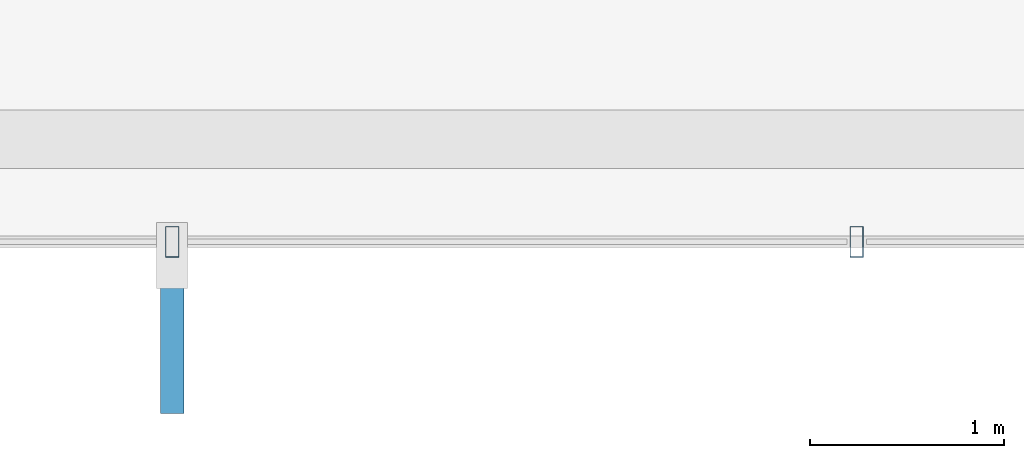
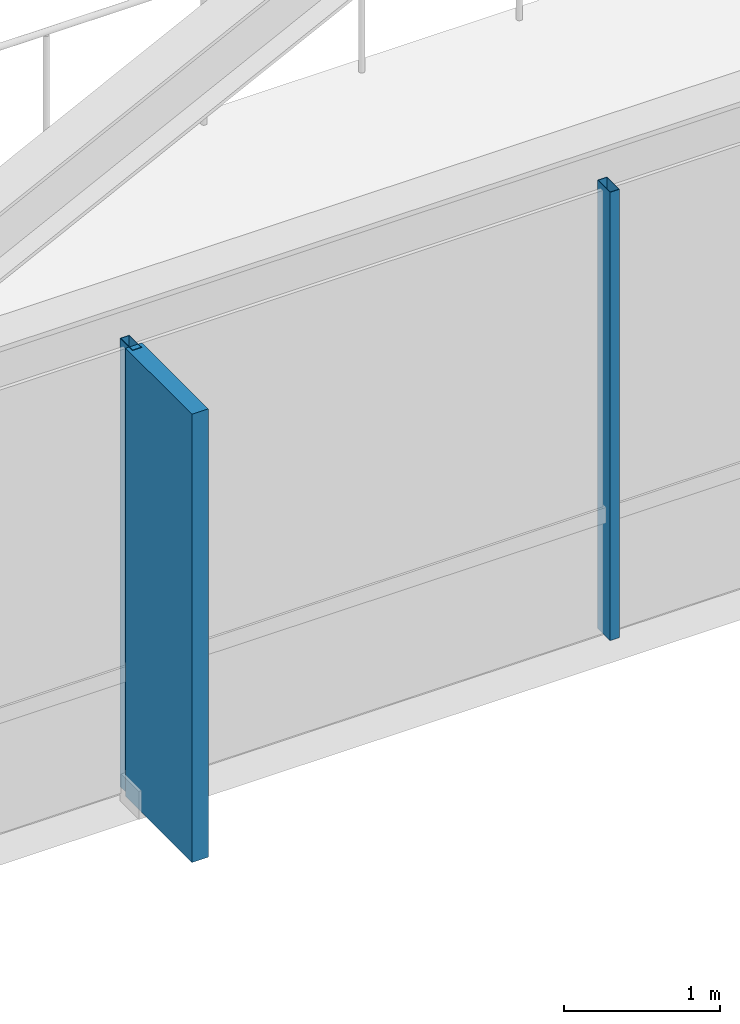
# One storey, part 6 of 30: 3 members, 1 element without a shape of its own.
"""IFC4 building model written with IfcOpenShell, lengths in metres."""

from ifc_helpers import new_model, si_unit, direction, frame, origin, origin_2d, place, context, subcontext, project, spatial, rectangle, hollow_rectangle, extrude, material, layer, layer_set, material_profile, profile_set, type_object, element, aggregate, save


model = new_model("IFC4")

# Units and contexts
model_context = context("Model", 3, precision=1e-05, world=origin(), true_north=direction((0.0, 1.0)))
body_context = subcontext(model_context, "Body", "Model", "MODEL_VIEW")
ifc_project = project(units=[si_unit("LENGTHUNIT", "METRE"), si_unit("AREAUNIT", "SQUARE_METRE"), si_unit("VOLUMEUNIT", "CUBIC_METRE"), si_unit("PLANEANGLEUNIT", "RADIAN"), si_unit("MASSUNIT", "GRAM", prefix="KILO")], contexts=[model_context])

# Site, building, storey
site_placement = place(None, origin())
site = spatial("IfcSite", under=ifc_project, at=site_placement, CompositionType="ELEMENT")
building_placement = place(site_placement, origin())
building = spatial("IfcBuilding", under=site, at=building_placement, Name="Zarrinselat Tower", CompositionType="ELEMENT")
storey_placement = place(building_placement, frame((0.0, 0.0, 130.89990234375)))
storey = spatial("IfcBuildingStorey", under=building, at=storey_placement, Name="L31", CompositionType="ELEMENT", Elevation=130.89990234375)

# Curtain wall, members
ifc_material_1 = material(Name="Extruded Aluminium Alloy EN AW-6063 T6", Category="aluminium")
ifc_layer = layer(ifc_material_1, 0.175048828125)
ifc_layer_set = layer_set([ifc_layer], Name="Extruded Aluminium Alloy EN AW-6063 T6")
curtain_wall_type = type_object("IfcCurtainWallType", Name="CWS-HTL", PredefinedType="NOTDEFINED", material=ifc_layer_set)
curtain_wall_placement = place(storey_placement, origin())
curtain_wall = element("IfcCurtainWall", 1, at=curtain_wall_placement, inside=storey, type_object=curtain_wall_type, Name="L31 Unitised Curtain Wall CW-L31-E04", PredefinedType="NOTDEFINED")
ifc_material_2 = material(Name="Extruded Aluminium Alloy EN AW-6063 T6", Category="aluminium")
ifc_material_profile_1 = material_profile(ifc_material_2, hollow_rectangle(XDim=0.070068359375, YDim=0.159912109375, WallThickness=0.00390625, at=origin_2d()), Name="RHS 160x70x4")
ifc_profile_set_1 = profile_set([ifc_material_profile_1], Name="Extruded Aluminium Alloy EN AW-6063 T6")
member_type_1 = type_object("IfcMemberType", Name="MEM-CW-MUL2", PredefinedType="MULLION", material=ifc_profile_set_1)
member_1_placement = place(storey_placement, frame((33.109375, 18.06640625, 0.0), z_axis=(0.0, 0.0, 1.0), x_axis=(1.0, 0.0, 0.0)))
member_1 = element("IfcMember", 2, at=member_1_placement, type_object=member_type_1, Name="CW-L31-E04 Mullion 1", PredefinedType="MULLION", context=body_context, shape_type="SweptSolid", body=[
    extrude(hollow_rectangle(XDim=0.070068359375, YDim=0.159912109375, WallThickness=0.00390625, at=origin_2d()), origin(), (0.0, 0.0, 1.0), 3.5),
])
member_2_placement = place(storey_placement, frame((36.636474609375, 18.06640625, 0.0), z_axis=(0.0, 0.0, 1.0), x_axis=(1.0, 0.0, 0.0)))
member_2 = element("IfcMember", 3, at=member_2_placement, type_object=member_type_1, Name="CW-L31-E04 Mullion 2", PredefinedType="MULLION", context=body_context, shape_type="SweptSolid", body=[
    extrude(hollow_rectangle(XDim=0.070068359375, YDim=0.159912109375, WallThickness=0.00390625, at=origin_2d()), origin(), (0.0, 0.0, 1.0), 3.5),
])
ifc_material_3 = material(Name="Honed Cream Travertine Stone", Category="masonry")
ifc_material_profile_2 = material_profile(ifc_material_3, rectangle(XDim=0.1201171875, YDim=0.85009765625, at=origin_2d()), Name="FIN 850x120")
ifc_profile_set_2 = profile_set([ifc_material_profile_2], Name="Honed Cream Travertine Stone")
member_type_2 = type_object("IfcMemberType", Name="MEM-STONE-FIN", PredefinedType="USERDEFINED", material=ifc_profile_set_2)
member_3_placement = place(storey_placement, frame((33.109375, 17.606201171875, 0.0), z_axis=(0.0, 0.0, 1.0), x_axis=(-1.0, 0.0, 0.0)))
member_3 = element("IfcMember", 4, at=member_3_placement, type_object=member_type_2, Name="L31 Stone Shading Fin CW-L31-E04-01", ObjectType="FIN", PredefinedType="USERDEFINED", context=body_context, shape_type="SweptSolid", body=[
    extrude(rectangle(XDim=0.1201171875, YDim=0.85009765625, at=origin_2d()), origin(), (0.0, 0.0, 1.0), 3.5),
])
aggregate(curtain_wall, [member_1, member_3, member_2])

save(model, "model.ifc")
